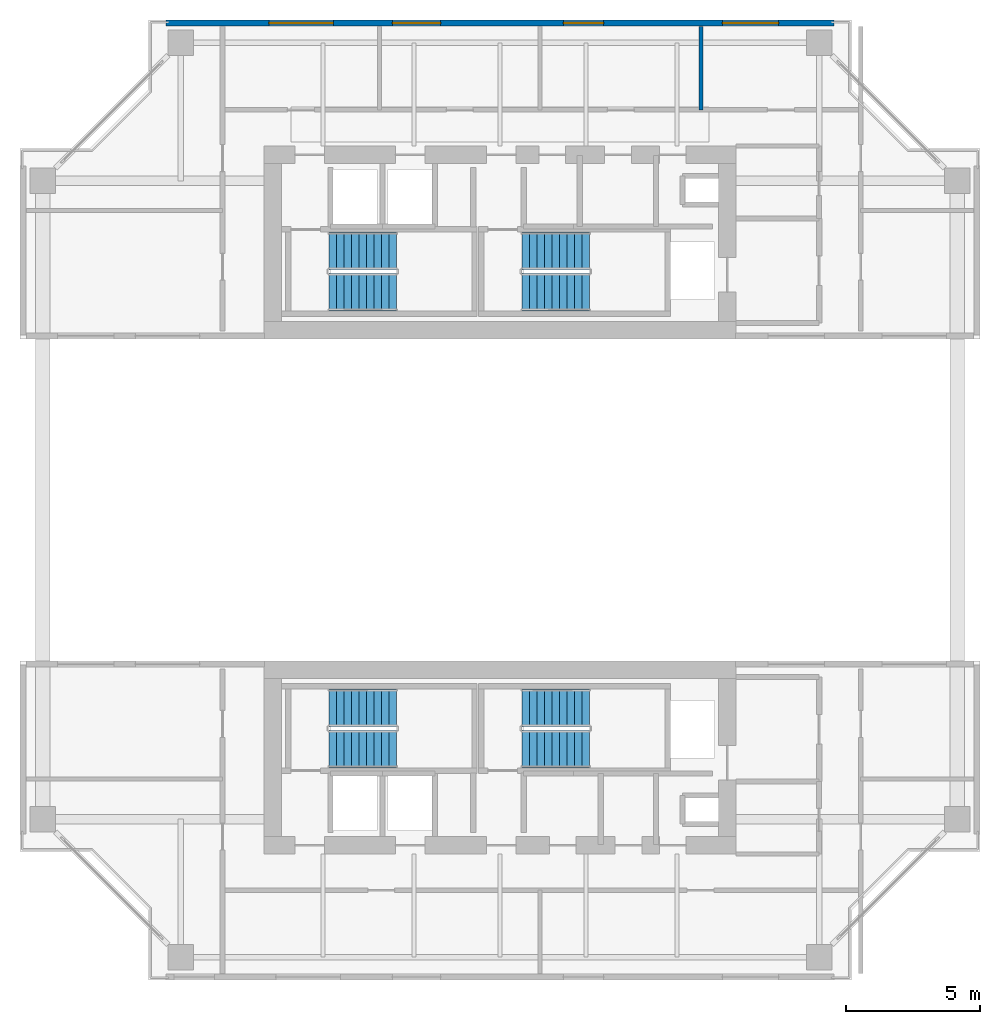
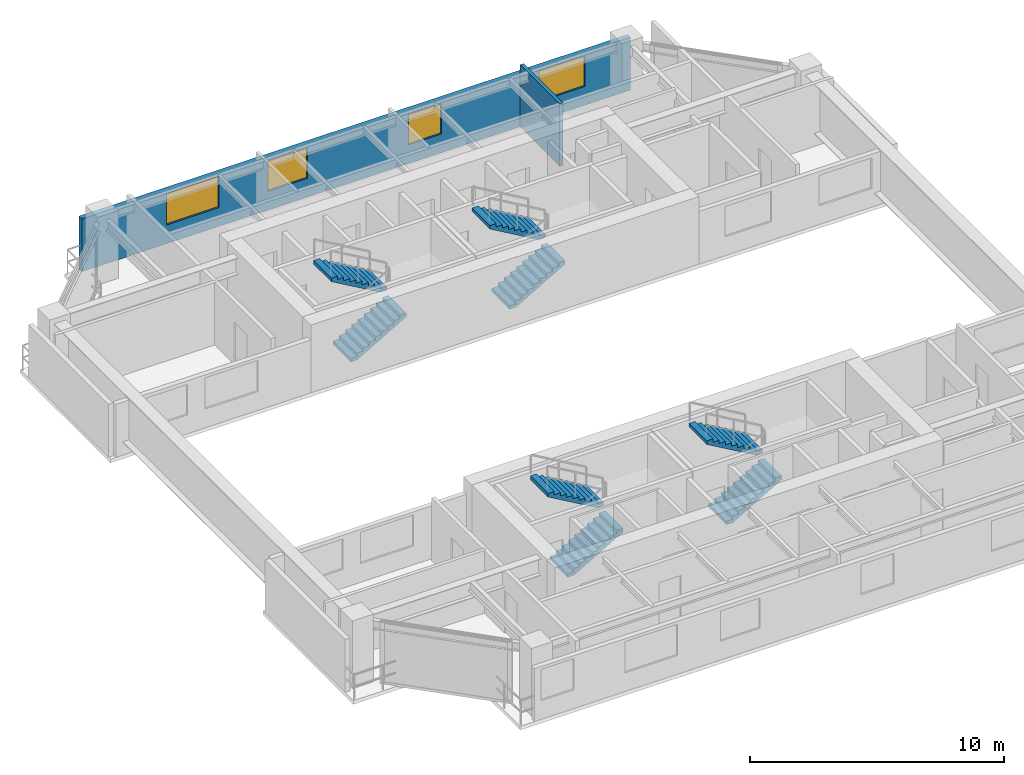
# One storey, part 10 of 12: 8 stair flights, 4 windows, 2 walls, 4 openings, 4 elements without a shape of their own.
"""IFC4 building model written with IfcOpenShell, lengths in metres."""

from ifc_helpers import new_model, si_unit, direction, frame, frame_2d, origin, place, context, subcontext, project, spatial, polyline, rectangle, outline, extrude, source, transform, mapped, material, layer, layer_set, type_object, element, fill, aggregate, save


model = new_model("IFC4")

# Units and contexts
model_context = context("Model", 3, precision=1e-05, world=origin(), true_north=direction((0.0, 1.0)))
body_context = subcontext(model_context, "Body", "Model", "MODEL_VIEW")
ifc_project = project(units=[si_unit("LENGTHUNIT", "METRE"), si_unit("AREAUNIT", "SQUARE_METRE"), si_unit("VOLUMEUNIT", "CUBIC_METRE"), si_unit("PLANEANGLEUNIT", "RADIAN"), si_unit("MASSUNIT", "GRAM", prefix="KILO"), si_unit("THERMODYNAMICTEMPERATUREUNIT", "KELVIN"), si_unit("POWERUNIT", "WATT")], contexts=[model_context])

# Site, building, storey
site_placement = place(None, origin())
site = spatial("IfcSite", under=ifc_project, at=site_placement, CompositionType="ELEMENT")
building_placement = place(site_placement, origin())
building = spatial("IfcBuilding", under=site, at=building_placement, Name="Qiaomeng Ring Towers", CompositionType="ELEMENT")
storey_placement = place(building_placement, frame((0.0, 0.0, 169.75)))
storey = spatial("IfcBuildingStorey", under=building, at=storey_placement, Name="L49", CompositionType="ELEMENT", Elevation=169.75)

# Wall, openings, windows
ifc_material_1 = material(Name="Precast concrete C40", Category="concrete")
ifc_layer_1 = layer(ifc_material_1, 0.219970703125, Name="Precast concrete C40")
ifc_layer_set_1 = layer_set([ifc_layer_1], Name="Precast concrete C40")
wall_type_1 = type_object("IfcWallType", Name="ARC-WL-EW2", PredefinedType="STANDARD", material=ifc_layer_set_1)
wall_1_placement = place(storey_placement, frame((6.550048828125, 40.7900390625, 0.0), z_axis=(0.0, 0.0, 1.0), x_axis=(1.0, 0.0, 0.0)))
wall_1 = element("IfcWall", 1, at=wall_1_placement, inside=storey, type_object=wall_type_1, Name="L49 Tower 1 N Exterior Wall", PredefinedType="STANDARD", context=body_context, shape_type="SweptSolid", body=[
    extrude(rectangle(XDim=24.89990234375, YDim=0.219970703125, at=frame_2d((12.449951171875, 0.0))), origin(), (0.0, 0.0, 1.0), 2.5400390625),
])
opening_1_placement = place(wall_1_placement, frame((3.83251953125, 0.0, 0.89990234375)))
opening_1 = element("IfcOpeningElement", 2, at=opening_1_placement, cuts=wall_1, Name="Opening WN6", PredefinedType="OPENING", context=body_context, shape_type="SweptSolid", body=[
    extrude(rectangle(XDim=2.39990234375, YDim=1.5, at=frame_2d((1.199951171875, 0.75))), frame((0.0, 0.119873046875, 0.0), z_axis=(0.0, -1.0, 0.0), x_axis=(1.0, 0.0, 0.0)), (0.0, 0.0, 1.0), 0.239990234375),
])
opening_2_placement = place(wall_1_placement, frame((8.43798828125, 0.0, 0.89990234375)))
opening_2 = element("IfcOpeningElement", 3, at=opening_2_placement, cuts=wall_1, Name="Opening WN1", PredefinedType="OPENING", context=body_context, shape_type="SweptSolid", body=[
    extrude(rectangle(XDim=1.800048828125, YDim=1.449951171875, at=frame_2d((0.89990234375, 0.72509765625))), frame((0.0, 0.119873046875, 0.0), z_axis=(0.0, -1.0, 0.0), x_axis=(1.0, 0.0, 0.0)), (0.0, 0.0, 1.0), 0.239990234375),
])
opening_3_placement = place(wall_1_placement, frame((14.81298828125, 0.0, 0.89990234375)))
opening_3 = element("IfcOpeningElement", 4, at=opening_3_placement, cuts=wall_1, Name="Opening WN2", PredefinedType="OPENING", context=body_context, shape_type="SweptSolid", body=[
    extrude(rectangle(XDim=1.5, YDim=1.449951171875, at=frame_2d((0.75, 0.72509765625))), frame((0.0, 0.119873046875, 0.0), z_axis=(0.0, -1.0, 0.0), x_axis=(1.0, 0.0, 0.0)), (0.0, 0.0, 1.0), 0.239990234375),
])
opening_4_placement = place(wall_1_placement, frame((20.738037109375, 0.0, 0.89990234375)))
opening_4 = element("IfcOpeningElement", 5, at=opening_4_placement, cuts=wall_1, Name="Opening WN4", PredefinedType="OPENING", context=body_context, shape_type="SweptSolid", body=[
    extrude(rectangle(XDim=2.10009765625, YDim=1.4599609375, at=frame_2d((1.050048828125, 0.72998046875))), frame((0.0, 0.119873046875, 0.0), z_axis=(0.0, -1.0, 0.0), x_axis=(1.0, 0.0, 0.0)), (0.0, 0.0, 1.0), 0.239990234375),
])
ifc_material_2 = material(Name="Low-E dark-grey laminated double glazing", Category="glass")
window_type_1 = type_object("IfcWindowType", Name="ARC-WN-2", PartitioningType="DOUBLE_PANEL_VERTICAL", PredefinedType="WINDOW", material=ifc_material_2)
shared_shape_1 = source(origin(), body_context, "Body", "SweptSolid", [
    extrude(rectangle(XDim=1.5, YDim=1.449951171875, at=frame_2d((0.75, 0.72509765625))), frame((0.0, 0.030029296875, 0.0), z_axis=(0.0, -1.0, 0.0), x_axis=(1.0, 0.0, 0.0)), (0.0, 0.0, 1.0), 0.06005859375),
])
window_1_placement = place(opening_3_placement, origin())
window_1 = element("IfcWindow", 6, at=window_1_placement, inside=storey, type_object=window_type_1, Name="L49 Exterior Window WN2", OverallHeight=1.449951171875, OverallWidth=1.5, PartitioningType="DOUBLE_PANEL_VERTICAL", PredefinedType="WINDOW", context=body_context, shape_type="MappedRepresentation", body=[
    mapped(shared_shape_1, transform((0.0, 0.0, 0.0), x_axis=(1.0, 0.0, 0.0), y_axis=(0.0, 1.0, 0.0), z_axis=(0.0, 0.0, 1.0), scale=1.0)),
])
fill(opening_3, window_1)
window_type_2 = type_object("IfcWindowType", Name="ARC-WN-1", PartitioningType="DOUBLE_PANEL_VERTICAL", PredefinedType="WINDOW", material=ifc_material_2)
shared_shape_2 = source(origin(), body_context, "Body", "SweptSolid", [
    extrude(rectangle(XDim=1.800048828125, YDim=1.449951171875, at=frame_2d((0.89990234375, 0.72509765625))), frame((0.0, 0.030029296875, 0.0), z_axis=(0.0, -1.0, 0.0), x_axis=(1.0, 0.0, 0.0)), (0.0, 0.0, 1.0), 0.06005859375),
])
window_2_placement = place(opening_2_placement, origin())
window_2 = element("IfcWindow", 7, at=window_2_placement, inside=storey, type_object=window_type_2, Name="L49 Exterior Window WN1", OverallHeight=1.449951171875, OverallWidth=1.800048828125, PartitioningType="DOUBLE_PANEL_VERTICAL", PredefinedType="WINDOW", context=body_context, shape_type="MappedRepresentation", body=[
    mapped(shared_shape_2, transform((0.0, 0.0, 0.0), x_axis=(1.0, 0.0, 0.0), y_axis=(0.0, 1.0, 0.0), z_axis=(0.0, 0.0, 1.0), scale=1.0)),
])
fill(opening_2, window_2)
window_type_3 = type_object("IfcWindowType", Name="ARC-WN-6", PartitioningType="TRIPLE_PANEL_VERTICAL", PredefinedType="WINDOW", material=ifc_material_2)
shared_shape_3 = source(origin(), body_context, "Body", "SweptSolid", [
    extrude(rectangle(XDim=2.39990234375, YDim=1.5, at=frame_2d((1.199951171875, 0.75))), frame((0.0, 0.030029296875, 0.0), z_axis=(0.0, -1.0, 0.0), x_axis=(1.0, 0.0, 0.0)), (0.0, 0.0, 1.0), 0.06005859375),
])
window_3_placement = place(opening_1_placement, origin())
window_3 = element("IfcWindow", 8, at=window_3_placement, inside=storey, type_object=window_type_3, Name="L49 Exterior Window WN6", OverallHeight=1.5, OverallWidth=2.39990234375, PartitioningType="TRIPLE_PANEL_VERTICAL", PredefinedType="WINDOW", context=body_context, shape_type="MappedRepresentation", body=[
    mapped(shared_shape_3, transform((0.0, 0.0, 0.0), x_axis=(1.0, 0.0, 0.0), y_axis=(0.0, 1.0, 0.0), z_axis=(0.0, 0.0, 1.0), scale=1.0)),
])
fill(opening_1, window_3)
window_type_4 = type_object("IfcWindowType", Name="ARC-WN-4", PartitioningType="TRIPLE_PANEL_VERTICAL", PredefinedType="WINDOW", material=ifc_material_2)
shared_shape_4 = source(origin(), body_context, "Body", "SweptSolid", [
    extrude(rectangle(XDim=2.10009765625, YDim=1.4599609375, at=frame_2d((1.050048828125, 0.72998046875))), frame((0.0, 0.030029296875, 0.0), z_axis=(0.0, -1.0, 0.0), x_axis=(1.0, 0.0, 0.0)), (0.0, 0.0, 1.0), 0.06005859375),
])
window_4_placement = place(opening_4_placement, origin())
window_4 = element("IfcWindow", 9, at=window_4_placement, inside=storey, type_object=window_type_4, Name="L49 Exterior Window WN4", OverallHeight=1.4599609375, OverallWidth=2.10009765625, PartitioningType="TRIPLE_PANEL_VERTICAL", PredefinedType="WINDOW", context=body_context, shape_type="MappedRepresentation", body=[
    mapped(shared_shape_4, transform((0.0, 0.0, 0.0), x_axis=(1.0, 0.0, 0.0), y_axis=(0.0, 1.0, 0.0), z_axis=(0.0, 0.0, 1.0), scale=1.0)),
])
fill(opening_4, window_4)

# Wall
ifc_material_3 = material(Name="Gypsum fireboard steel-stud partition", Category="steel")
ifc_layer_2 = layer(ifc_material_3, 0.14990234375, Name="Gypsum fireboard steel-stud partition")
ifc_layer_set_2 = layer_set([ifc_layer_2], Name="Gypsum fireboard steel-stud partition")
wall_type_2 = type_object("IfcWallType", Name="ARC-WL-PW3", PredefinedType="PARTITIONING", material=ifc_layer_set_2)
wall_2_placement = place(storey_placement, frame((26.5, 37.550048828125, 0.0), z_axis=(0.0, 0.0, 1.0), x_axis=(0.0, 1.0, 0.0)))
element("IfcWall", 10, at=wall_2_placement, inside=storey, type_object=wall_type_2, Name="L49 Interior Wall PW3", PredefinedType="PARTITIONING", context=body_context, shape_type="SweptSolid", body=[
    extrude(rectangle(XDim=3.099853515625, YDim=0.14990234375, at=frame_2d((1.5498046875, 0.0))), origin(), (0.0, 0.0, 1.0), 3.0),
])

# Stair, stair flights
stair_type = type_object("IfcStairType", Name="ARC-ST-325", PredefinedType="HALF_TURN_STAIR", material=ifc_material_1)
stair_1_placement = place(storey_placement, origin())
stair_1 = element("IfcStair", 11, at=stair_1_placement, inside=storey, type_object=stair_type, Name="L49 Tower 1 North Stair 1", PredefinedType="HALF_TURN_STAIR")
stair_flight_type = type_object("IfcStairFlightType", Name="ARC-ST-325-FL", PredefinedType="STRAIGHT", material=ifc_material_1)
shared_shape_5 = source(origin(), body_context, "Body", "SweptSolid", [
    extrude(outline(polyline([(0.0, 0.0), (0.0, 0.16259765625), (0.280029296875, 0.16259765625), (0.280029296875, 0.324951171875), (0.56005859375, 0.324951171875), (0.56005859375, 0.487548828125), (0.840087890625, 0.487548828125), (0.840087890625, 0.64990234375), (1.1201171875, 0.64990234375), (1.1201171875, 0.8125), (1.39990234375, 0.8125), (1.39990234375, 0.97509765625), (1.679931640625, 0.97509765625), (1.679931640625, 1.137451171875), (1.9599609375, 1.137451171875), (1.9599609375, 1.300048828125), (2.239990234375, 1.300048828125), (2.239990234375, 1.46240234375), (2.52001953125, 1.46240234375), (2.52001953125, 1.625), (2.52001953125, 1.2890625), (0.298583984375, 0.0), (0.0, 0.0)])), frame((0.0, 0.699951171875, 0.0), z_axis=(0.0, -1.0, 0.0), x_axis=(1.0, 0.0, 0.0)), (0.0, 0.0, 1.0), 1.39990234375),
])
stair_flight_1_placement = place(storey_placement, frame((12.6201171875, 30.75, 0.0), z_axis=(0.0, 0.0, 1.0), x_axis=(1.0, 0.0, 0.0)))
stair_flight_1 = element("IfcStairFlight", 12, at=stair_flight_1_placement, type_object=stair_flight_type, Name="ST1 flight 1", NumberOfRisers=10, NumberOfTreads=9, PredefinedType="STRAIGHT", RiserHeight=0.1625, TreadLength=0.28, context=body_context, shape_type="MappedRepresentation", body=[
    mapped(shared_shape_5, transform((0.0, 0.0, 0.0), x_axis=(1.0, 0.0, 0.0), y_axis=(0.0, 1.0, 0.0), z_axis=(0.0, 0.0, 1.0), scale=1.0)),
])
stair_flight_2_placement = place(storey_placement, frame((15.139892578125, 32.2900390625, 1.625), z_axis=(0.0, 0.0, 1.0), x_axis=(-1.0, 0.0, 0.0)))
stair_flight_2 = element("IfcStairFlight", 13, at=stair_flight_2_placement, type_object=stair_flight_type, Name="ST1 flight 2", NumberOfRisers=10, NumberOfTreads=9, PredefinedType="STRAIGHT", RiserHeight=0.1625, TreadLength=0.28, context=body_context, shape_type="MappedRepresentation", body=[
    mapped(shared_shape_5, transform((0.0, 0.0, 0.0), x_axis=(1.0, 0.0, 0.0), y_axis=(0.0, 1.0, 0.0), z_axis=(0.0, 0.0, 1.0), scale=1.0)),
])
aggregate(stair_1, [stair_flight_1, stair_flight_2])

stair_2_placement = place(storey_placement, origin())
stair_2 = element("IfcStair", 14, at=stair_2_placement, inside=storey, type_object=stair_type, Name="L49 Tower 1 North Stair 2", PredefinedType="HALF_TURN_STAIR")
stair_flight_3_placement = place(storey_placement, frame((19.820068359375, 30.75, 0.0), z_axis=(0.0, 0.0, 1.0), x_axis=(1.0, 0.0, 0.0)))
stair_flight_3 = element("IfcStairFlight", 15, at=stair_flight_3_placement, type_object=stair_flight_type, Name="ST2 flight 1", NumberOfRisers=10, NumberOfTreads=9, PredefinedType="STRAIGHT", RiserHeight=0.1625, TreadLength=0.28, context=body_context, shape_type="MappedRepresentation", body=[
    mapped(shared_shape_5, transform((0.0, 0.0, 0.0), x_axis=(1.0, 0.0, 0.0), y_axis=(0.0, 1.0, 0.0), z_axis=(0.0, 0.0, 1.0), scale=1.0)),
])
stair_flight_4_placement = place(storey_placement, frame((22.340087890625, 32.2900390625, 1.625), z_axis=(0.0, 0.0, 1.0), x_axis=(-1.0, 0.0, 0.0)))
stair_flight_4 = element("IfcStairFlight", 16, at=stair_flight_4_placement, type_object=stair_flight_type, Name="ST2 flight 2", NumberOfRisers=10, NumberOfTreads=9, PredefinedType="STRAIGHT", RiserHeight=0.1625, TreadLength=0.28, context=body_context, shape_type="MappedRepresentation", body=[
    mapped(shared_shape_5, transform((0.0, 0.0, 0.0), x_axis=(1.0, 0.0, 0.0), y_axis=(0.0, 1.0, 0.0), z_axis=(0.0, 0.0, 1.0), scale=1.0)),
])
aggregate(stair_2, [stair_flight_3, stair_flight_4])

stair_3_placement = place(storey_placement, origin())
stair_3 = element("IfcStair", 17, at=stair_3_placement, inside=storey, type_object=stair_type, Name="L49 Tower 1 South Stair 3", PredefinedType="HALF_TURN_STAIR")
stair_flight_5_placement = place(storey_placement, frame((12.6201171875, 13.7099609375, 0.0), z_axis=(0.0, 0.0, 1.0), x_axis=(1.0, 0.0, 0.0)))
stair_flight_5 = element("IfcStairFlight", 18, at=stair_flight_5_placement, type_object=stair_flight_type, Name="ST3 flight 1", NumberOfRisers=10, NumberOfTreads=9, PredefinedType="STRAIGHT", RiserHeight=0.1625, TreadLength=0.28, context=body_context, shape_type="MappedRepresentation", body=[
    mapped(shared_shape_5, transform((0.0, 0.0, 0.0), x_axis=(1.0, 0.0, 0.0), y_axis=(0.0, 1.0, 0.0), z_axis=(0.0, 0.0, 1.0), scale=1.0)),
])
stair_flight_6_placement = place(storey_placement, frame((15.139892578125, 15.25, 1.625), z_axis=(0.0, 0.0, 1.0), x_axis=(-1.0, 0.0, 0.0)))
stair_flight_6 = element("IfcStairFlight", 19, at=stair_flight_6_placement, type_object=stair_flight_type, Name="ST3 flight 2", NumberOfRisers=10, NumberOfTreads=9, PredefinedType="STRAIGHT", RiserHeight=0.1625, TreadLength=0.28, context=body_context, shape_type="MappedRepresentation", body=[
    mapped(shared_shape_5, transform((0.0, 0.0, 0.0), x_axis=(1.0, 0.0, 0.0), y_axis=(0.0, 1.0, 0.0), z_axis=(0.0, 0.0, 1.0), scale=1.0)),
])
aggregate(stair_3, [stair_flight_5, stair_flight_6])

stair_4_placement = place(storey_placement, origin())
stair_4 = element("IfcStair", 20, at=stair_4_placement, inside=storey, type_object=stair_type, Name="L49 Tower 1 South Stair 4", PredefinedType="HALF_TURN_STAIR")
stair_flight_7_placement = place(storey_placement, frame((19.820068359375, 13.7099609375, 0.0), z_axis=(0.0, 0.0, 1.0), x_axis=(1.0, 0.0, 0.0)))
stair_flight_7 = element("IfcStairFlight", 21, at=stair_flight_7_placement, type_object=stair_flight_type, Name="ST4 flight 1", NumberOfRisers=10, NumberOfTreads=9, PredefinedType="STRAIGHT", RiserHeight=0.1625, TreadLength=0.28, context=body_context, shape_type="MappedRepresentation", body=[
    mapped(shared_shape_5, transform((0.0, 0.0, 0.0), x_axis=(1.0, 0.0, 0.0), y_axis=(0.0, 1.0, 0.0), z_axis=(0.0, 0.0, 1.0), scale=1.0)),
])
stair_flight_8_placement = place(storey_placement, frame((22.340087890625, 15.25, 1.625), z_axis=(0.0, 0.0, 1.0), x_axis=(-1.0, 0.0, 0.0)))
stair_flight_8 = element("IfcStairFlight", 22, at=stair_flight_8_placement, type_object=stair_flight_type, Name="ST4 flight 2", NumberOfRisers=10, NumberOfTreads=9, PredefinedType="STRAIGHT", RiserHeight=0.1625, TreadLength=0.28, context=body_context, shape_type="MappedRepresentation", body=[
    mapped(shared_shape_5, transform((0.0, 0.0, 0.0), x_axis=(1.0, 0.0, 0.0), y_axis=(0.0, 1.0, 0.0), z_axis=(0.0, 0.0, 1.0), scale=1.0)),
])
aggregate(stair_4, [stair_flight_7, stair_flight_8])

save(model, "model.ifc")
